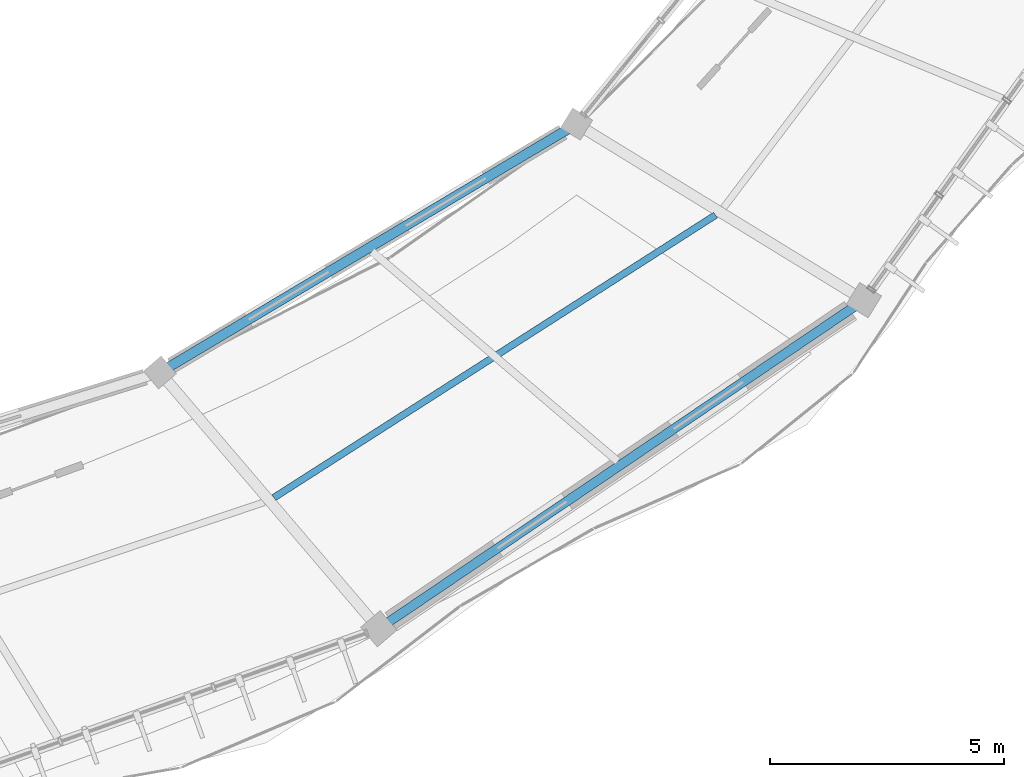
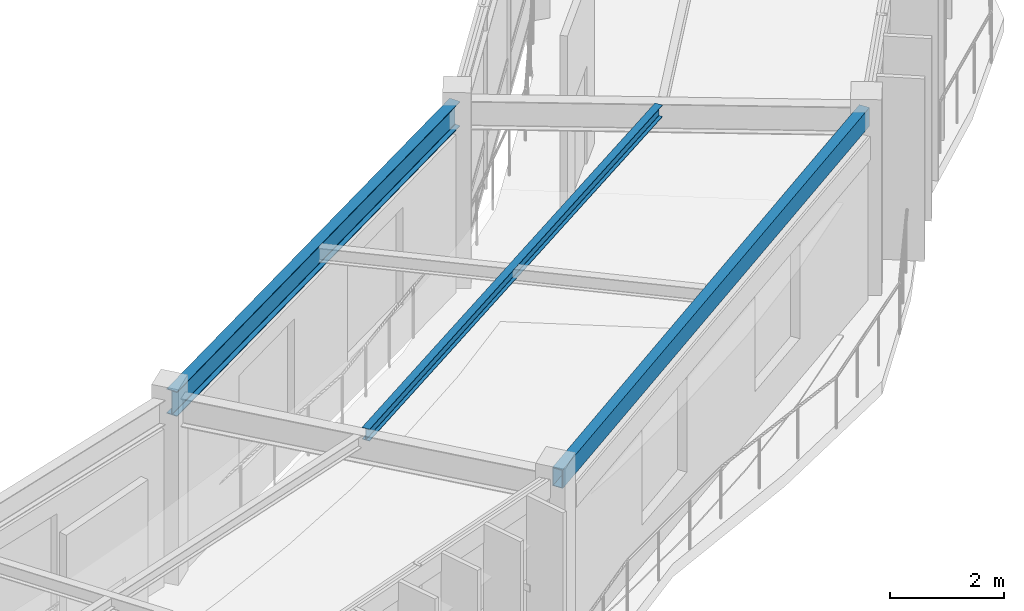
# One storey, part 47 of 79: 3 beams.
"""IFC4 building model written with IfcOpenShell, lengths in metres."""

from ifc_helpers import new_model, si_unit, direction, frame, origin, origin_2d, place, context, subcontext, project, spatial, hollow_rectangle, i_section, extrude, material, material_profile, profile_set, type_object, element, save


model = new_model("IFC4")

# Units and contexts
model_context = context("Model", 3, precision=1e-05, world=origin(), true_north=direction((0.0, 1.0)))
body_context = subcontext(model_context, "Body", "Model", "MODEL_VIEW")
ifc_project = project(units=[si_unit("LENGTHUNIT", "METRE"), si_unit("AREAUNIT", "SQUARE_METRE"), si_unit("VOLUMEUNIT", "CUBIC_METRE"), si_unit("PLANEANGLEUNIT", "RADIAN"), si_unit("MASSUNIT", "GRAM", prefix="KILO"), si_unit("THERMODYNAMICTEMPERATUREUNIT", "KELVIN"), si_unit("POWERUNIT", "WATT")], contexts=[model_context])

# Site, building, storey
site_placement = place(None, origin())
site = spatial("IfcSite", under=ifc_project, at=site_placement, CompositionType="ELEMENT")
building_placement = place(site_placement, origin())
building = spatial("IfcBuilding", under=site, at=building_placement, Name="Darbajah Civic Hall", CompositionType="ELEMENT")
storey_placement = place(building_placement, frame((0.0, 0.0, 22.199951171875)))
storey = spatial("IfcBuildingStorey", under=building, at=storey_placement, Name="L05", CompositionType="ELEMENT", Elevation=22.199951171875)

# Beams
ifc_material = material(Name="Steel S355JR", Category="steel")
ifc_material_profile_1 = material_profile(ifc_material, hollow_rectangle(XDim=0.199951171875, YDim=0.39990234375, WallThickness=0.013916015625, at=origin_2d()), Name="RHS 400x200x14")
ifc_profile_set_1 = profile_set([ifc_material_profile_1], Name="Steel S355JR")
beam_type_1 = type_object("IfcBeamType", Name="RHS 400x200x14", PredefinedType="SPANDREL", material=ifc_profile_set_1)
beam_1_placement = place(storey_placement, frame((122.2880859375, 67.412841796875, 3.719970703125), z_axis=(0.827982022698, 0.560754643394, 0.0), x_axis=(-0.560754643394, 0.827982022698, 0.0)))
element("IfcBeam", 1, at=beam_1_placement, inside=storey, type_object=beam_type_1, Name="L05 beam SP-RHS400", PredefinedType="SPANDREL", context=body_context, shape_type="SweptSolid", body=[
    extrude(hollow_rectangle(XDim=0.199951171875, YDim=0.39990234375, WallThickness=0.013916015625, at=origin_2d()), origin(), (0.0, 0.0, 1.0), 12.355712890625),
])
ifc_material_profile_2 = material_profile(ifc_material, i_section(OverallWidth=0.146484375, OverallDepth=0.256103515625, WebThickness=0.00634765625, FlangeThickness=0.010986328125, FilletRadius=0.007568359375, at=origin_2d()), Name="UB 254x146x37")
ifc_profile_set_2 = profile_set([ifc_material_profile_2], Name="Steel S355JR")
beam_type_2 = type_object("IfcBeamType", Name="UB 254x146x37", PredefinedType="JOIST", material=ifc_profile_set_2)
beam_2_placement = place(storey_placement, frame((119.981689453125, 70.16796875, 3.7919921875), z_axis=(0.842354117653, 0.538924429279, 0.0), x_axis=(-0.538924429279, 0.842354117653, 0.0)))
element("IfcBeam", 2, at=beam_2_placement, inside=storey, type_object=beam_type_2, Name="L05 beam SJ-254", PredefinedType="JOIST", context=body_context, shape_type="SweptSolid", body=[
    extrude(i_section(OverallWidth=0.146484375, OverallDepth=0.256103515625, WebThickness=0.00634765625, FlangeThickness=0.010986328125, FilletRadius=0.007568359375, at=origin_2d()), origin(), (0.0, 0.0, 1.0), 11.20166015625),
])
ifc_material_profile_3 = material_profile(ifc_material, i_section(OverallWidth=0.209228515625, OverallDepth=0.533203125, WebThickness=0.010009765625, FlangeThickness=0.015625, FilletRadius=0.0126953125, at=origin_2d()), Name="UB 533x210x92")
ifc_profile_set_3 = profile_set([ifc_material_profile_3], Name="Steel S355JR")
beam_type_3 = type_object("IfcBeamType", Name="UB 533x210x92", PredefinedType="BEAM", material=ifc_profile_set_3)
beam_3_placement = place(storey_placement, frame((117.614501953125, 72.8837890625, 3.653564453125), z_axis=(0.858952844576, 0.51205469512, 0.0), x_axis=(-0.51205469512, 0.858952844576, 0.0)))
element("IfcBeam", 3, at=beam_3_placement, inside=storey, type_object=beam_type_3, Name="L05 beam SB-533", PredefinedType="BEAM", context=body_context, shape_type="SweptSolid", body=[
    extrude(i_section(OverallWidth=0.209228515625, OverallDepth=0.533203125, WebThickness=0.010009765625, FlangeThickness=0.015625, FilletRadius=0.0126953125, at=origin_2d()), origin(), (0.0, 0.0, 1.0), 10.201416015625),
])

save(model, "model.ifc")
